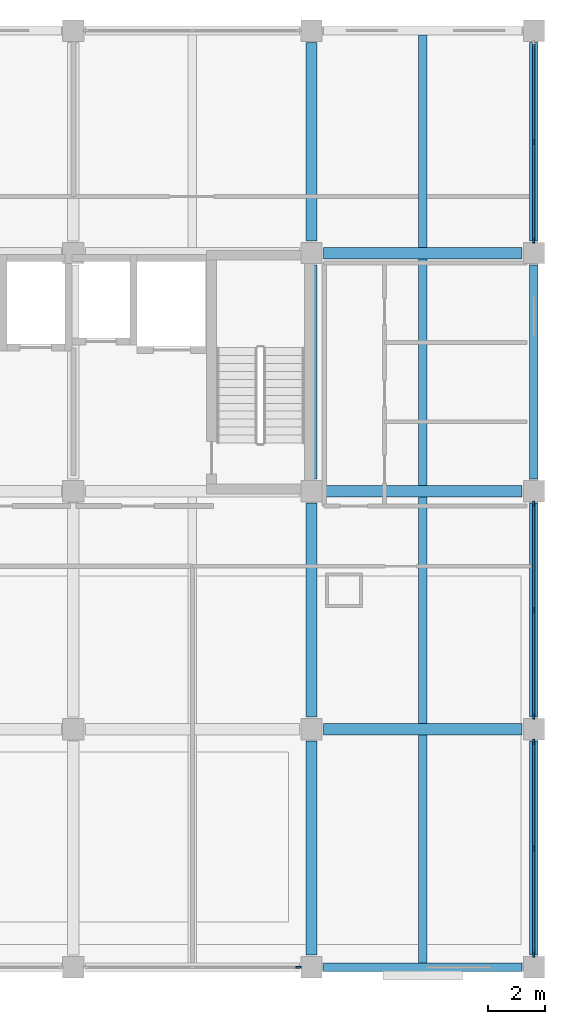
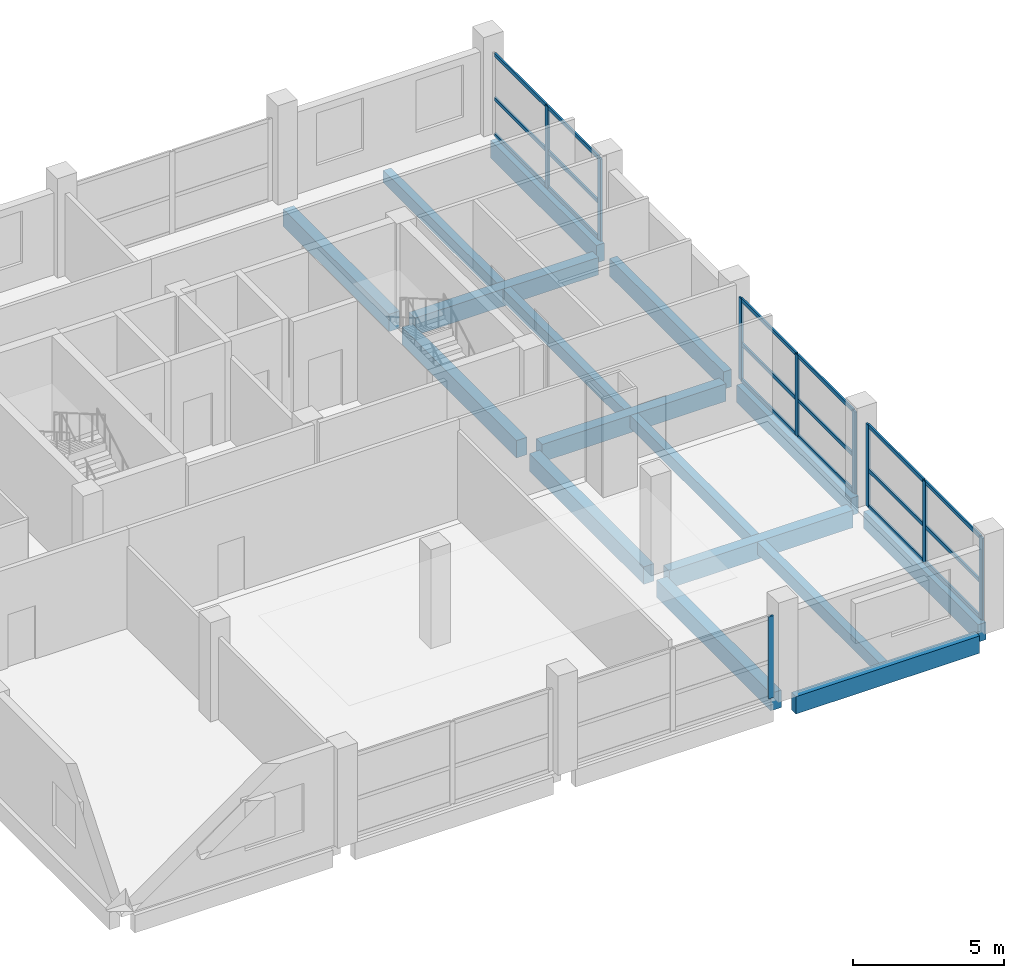
# One storey, part 4 of 9: 27 members, 16 beams, 4 elements without a shape of their own.
"""IFC4 building model written with IfcOpenShell, lengths in metres."""

from ifc_helpers import new_model, si_unit, direction, frame, origin, origin_2d, place, context, subcontext, project, spatial, rectangle, extrude, material, material_profile, profile_set, type_object, element, aggregate, save


model = new_model("IFC4")

# Units and contexts
model_context = context("Model", 3, precision=1e-05, world=origin(), true_north=direction((0.0, 1.0)))
body_context = subcontext(model_context, "Body", "Model", "MODEL_VIEW")
ifc_project = project(units=[si_unit("LENGTHUNIT", "METRE"), si_unit("AREAUNIT", "SQUARE_METRE"), si_unit("VOLUMEUNIT", "CUBIC_METRE"), si_unit("PLANEANGLEUNIT", "RADIAN"), si_unit("MASSUNIT", "GRAM", prefix="KILO")], contexts=[model_context])

# Site, building, storey
site_placement = place(None, origin())
site = spatial("IfcSite", under=ifc_project, at=site_placement, CompositionType="ELEMENT")
building_placement = place(site_placement, origin())
building = spatial("IfcBuilding", under=site, at=building_placement, Name="Brinegate Botanical Conservatory", CompositionType="ELEMENT")
storey_placement = place(building_placement, frame((0.0, 0.0, 40.199951171875)))
storey = spatial("IfcBuildingStorey", under=building, at=storey_placement, Name="L10", CompositionType="ELEMENT", Elevation=40.199951171875)

# Beams
ifc_material_1 = material(Name="Concrete C40/50", Category="concrete")
ifc_material_profile_1 = material_profile(ifc_material_1, rectangle(XDim=0.39990234375, YDim=0.699951171875, at=origin_2d()), Name="RC BM 400x700")
ifc_profile_set_1 = profile_set([ifc_material_profile_1], Name="Concrete C40/50")
beam_type_1 = type_object("IfcBeamType", Name="Beam_BM-T2", PredefinedType="BEAM", material=ifc_profile_set_1)
for number, where, z_axis, x_axis, name in (
    (1, (156.02490234375, 86.800048828125, -0.530029296875), (1.0, 0.0, 0.0), (0.0, 1.0, 0.0), "Beam BM-T2 L10 L:20-21"),
    (2, (156.02490234375, 95.199951171875, -0.530029296875), (1.0, 0.0, 0.0), (0.0, 1.0, 0.0), "Beam BM-T2 L10 M:20-21"),
    (3, (156.02490234375, 103.60009765625, -0.530029296875), (1.0, 0.0, 0.0), (0.0, 1.0, 0.0), "Beam BM-T2 L10 N:20-21"),
):
    element("IfcBeam", number, at=place(storey_placement, frame(where, z_axis=z_axis, x_axis=x_axis)), inside=storey, type_object=beam_type_1, Name=name, PredefinedType="BEAM", context=body_context, shape_type="SweptSolid", body=[
        extrude(rectangle(XDim=0.39990234375, YDim=0.699951171875, at=origin_2d()), origin(), (0.0, 0.0, 1.0), 7.0),
    ])
beam_1_placement = place(storey_placement, frame((155.60009765625, 78.824951171875, -0.530029296875), z_axis=(0.0, 1.0, 0.0), x_axis=(-1.0, 0.0, 0.0)))
element("IfcBeam", 4, at=beam_1_placement, inside=storey, type_object=beam_type_1, Name="Beam BM-T2 L10 20:K-L", PredefinedType="BEAM", context=body_context, shape_type="SweptSolid", body=[
    extrude(rectangle(XDim=0.39990234375, YDim=0.699951171875, at=origin_2d()), origin(), (0.0, 0.0, 1.0), 7.550048828125),
])
beam_2_placement = place(storey_placement, frame((155.60009765625, 87.22509765625, -0.530029296875), z_axis=(0.0, 1.0, 0.0), x_axis=(-1.0, 0.0, 0.0)))
element("IfcBeam", 5, at=beam_2_placement, inside=storey, type_object=beam_type_1, Name="Beam BM-T2 L10 20:L-M", PredefinedType="BEAM", context=body_context, shape_type="SweptSolid", body=[
    extrude(rectangle(XDim=0.39990234375, YDim=0.699951171875, at=origin_2d()), origin(), (0.0, 0.0, 1.0), 7.5498046875),
])
beam_3_placement = place(storey_placement, frame((155.60009765625, 95.625, -0.530029296875), z_axis=(0.0, 1.0, 0.0), x_axis=(-1.0, 0.0, 0.0)))
element("IfcBeam", 6, at=beam_3_placement, inside=storey, type_object=beam_type_1, Name="Beam BM-T2 L10 20:M-N", PredefinedType="BEAM", context=body_context, shape_type="SweptSolid", body=[
    extrude(rectangle(XDim=0.39990234375, YDim=0.699951171875, at=origin_2d()), origin(), (0.0, 0.0, 1.0), 7.550048828125),
])
beam_4_placement = place(storey_placement, frame((155.60009765625, 104.02490234375, -0.530029296875), z_axis=(0.0, 1.0, 0.0), x_axis=(-1.0, 0.0, 0.0)))
element("IfcBeam", 7, at=beam_4_placement, inside=storey, type_object=beam_type_1, Name="Beam BM-T2 L10 20:N-P", PredefinedType="BEAM", context=body_context, shape_type="SweptSolid", body=[
    extrude(rectangle(XDim=0.39990234375, YDim=0.699951171875, at=origin_2d()), origin(), (0.0, 0.0, 1.0), 7.0),
])
ifc_material_profile_2 = material_profile(ifc_material_1, rectangle(XDim=0.300048828125, YDim=0.5, at=origin_2d()), Name="RC JST 300x500")
ifc_profile_set_2 = profile_set([ifc_material_profile_2], Name="Concrete C40/50")
beam_type_2 = type_object("IfcBeamType", Name="Beam_JS-C2", PredefinedType="JOIST", material=ifc_profile_set_2)
beam_5_placement = place(storey_placement, frame((159.52490234375, 78.550048828125, -0.429931640625), z_axis=(0.0, 1.0, 0.0), x_axis=(-1.0, 0.0, 0.0)))
element("IfcBeam", 8, at=beam_5_placement, inside=storey, type_object=beam_type_2, Name="Floor joist JS-C2 L10 bay 20.10", PredefinedType="JOIST", context=body_context, shape_type="SweptSolid", body=[
    extrude(rectangle(XDim=0.300048828125, YDim=0.5, at=origin_2d()), origin(), (0.0, 0.0, 1.0), 8.050048828125),
])
for number, where, z_axis, x_axis, name in (
    (9, (159.52490234375, 87.0, -0.429931640625), (0.0, 1.0, 0.0), (-1.0, 0.0, 0.0), "Floor joist JS-C2 L10 bay 20.11"),
    (10, (159.52490234375, 95.39990234375, -0.429931640625), (0.0, 1.0, 0.0), (-1.0, 0.0, 0.0), "Floor joist JS-C2 L10 bay 20.12"),
):
    element("IfcBeam", number, at=place(storey_placement, frame(where, z_axis=z_axis, x_axis=x_axis)), inside=storey, type_object=beam_type_2, Name=name, PredefinedType="JOIST", context=body_context, shape_type="SweptSolid", body=[
        extrude(rectangle(XDim=0.300048828125, YDim=0.5, at=origin_2d()), origin(), (0.0, 0.0, 1.0), 8.0),
    ])
beam_6_placement = place(storey_placement, frame((159.52490234375, 103.800048828125, -0.429931640625), z_axis=(0.0, 1.0, 0.0), x_axis=(-1.0, 0.0, 0.0)))
element("IfcBeam", 11, at=beam_6_placement, inside=storey, type_object=beam_type_2, Name="Floor joist JS-C2 L10 bay 20.13", PredefinedType="JOIST", context=body_context, shape_type="SweptSolid", body=[
    extrude(rectangle(XDim=0.300048828125, YDim=0.5, at=origin_2d()), origin(), (0.0, 0.0, 1.0), 7.5),
])
ifc_material_profile_3 = material_profile(ifc_material_1, rectangle(XDim=0.300048828125, YDim=0.699951171875, at=origin_2d()), Name="RC SPN 300x700")
ifc_profile_set_3 = profile_set([ifc_material_profile_3], Name="Concrete C40/50")
beam_type_3 = type_object("IfcBeamType", Name="Beam_SP-02", PredefinedType="SPANDREL", material=ifc_profile_set_3)
beam_7_placement = place(storey_placement, frame((156.02490234375, 78.39990234375, -0.530029296875), z_axis=(1.0, 0.0, 0.0), x_axis=(0.0, 1.0, 0.0)))
element("IfcBeam", 12, at=beam_7_placement, inside=storey, type_object=beam_type_3, Name="Beam SP-02 L10 K:20-21", PredefinedType="SPANDREL", context=body_context, shape_type="SweptSolid", body=[
    extrude(rectangle(XDim=0.300048828125, YDim=0.699951171875, at=origin_2d()), origin(), (0.0, 0.0, 1.0), 7.0),
])
beam_8_placement = place(storey_placement, frame((163.449951171875, 78.824951171875, -0.530029296875), z_axis=(0.0, 1.0, 0.0), x_axis=(-1.0, 0.0, 0.0)))
element("IfcBeam", 13, at=beam_8_placement, inside=storey, type_object=beam_type_3, Name="Beam SP-02 L10 21:K-L", PredefinedType="SPANDREL", context=body_context, shape_type="SweptSolid", body=[
    extrude(rectangle(XDim=0.300048828125, YDim=0.699951171875, at=origin_2d()), origin(), (0.0, 0.0, 1.0), 7.550048828125),
])
beam_9_placement = place(storey_placement, frame((163.449951171875, 87.22509765625, -0.530029296875), z_axis=(0.0, 1.0, 0.0), x_axis=(-1.0, 0.0, 0.0)))
element("IfcBeam", 14, at=beam_9_placement, inside=storey, type_object=beam_type_3, Name="Beam SP-02 L10 21:L-M", PredefinedType="SPANDREL", context=body_context, shape_type="SweptSolid", body=[
    extrude(rectangle(XDim=0.300048828125, YDim=0.699951171875, at=origin_2d()), origin(), (0.0, 0.0, 1.0), 7.5498046875),
])
beam_10_placement = place(storey_placement, frame((163.449951171875, 95.625, -0.530029296875), z_axis=(0.0, 1.0, 0.0), x_axis=(-1.0, 0.0, 0.0)))
element("IfcBeam", 15, at=beam_10_placement, inside=storey, type_object=beam_type_3, Name="Beam SP-02 L10 21:M-N", PredefinedType="SPANDREL", context=body_context, shape_type="SweptSolid", body=[
    extrude(rectangle(XDim=0.300048828125, YDim=0.699951171875, at=origin_2d()), origin(), (0.0, 0.0, 1.0), 7.550048828125),
])
beam_11_placement = place(storey_placement, frame((163.449951171875, 104.02490234375, -0.530029296875), z_axis=(0.0, 1.0, 0.0), x_axis=(-1.0, 0.0, 0.0)))
element("IfcBeam", 16, at=beam_11_placement, inside=storey, type_object=beam_type_3, Name="Beam SP-02 L10 21:N-P", PredefinedType="SPANDREL", context=body_context, shape_type="SweptSolid", body=[
    extrude(rectangle(XDim=0.300048828125, YDim=0.699951171875, at=origin_2d()), origin(), (0.0, 0.0, 1.0), 7.0),
])

# Curtain wall, member
ifc_material_2 = material(Name="Thermally broken anodised aluminium AW-6063-T6", Category="aluminium")
curtain_wall_type = type_object("IfcCurtainWallType", Name="CW_CW-TW1", PredefinedType="USERDEFINED", material=ifc_material_2)
curtain_wall_1_placement = place(storey_placement, origin())
curtain_wall_1 = element("IfcCurtainWall", 17, at=curtain_wall_1_placement, inside=storey, type_object=curtain_wall_type, Name="Tower south curtain wall L10.3", ObjectType="FACTORY CURTAIN WALL", PredefinedType="USERDEFINED")
ifc_material_profile_4 = material_profile(ifc_material_2, rectangle(XDim=0.070068359375, YDim=0.199951171875, at=origin_2d()), Name="ALUM MULLION 70x200")
ifc_profile_set_4 = profile_set([ifc_material_profile_4], Name="Thermally broken anodised aluminium AW-6063-T6")
member_type_1 = type_object("IfcMemberType", Name="Member_ML-03", PredefinedType="MULLION", material=ifc_profile_set_4)
member_1_placement = place(storey_placement, frame((155.14990234375, 78.39990234375, 0.0), z_axis=(0.0, 0.0, 1.0), x_axis=(0.0, -1.0, 0.0)))
member_1 = element("IfcMember", 18, at=member_1_placement, type_object=member_type_1, Name="CW-TW1 mullion 1", PredefinedType="MULLION", context=body_context, shape_type="SweptSolid", body=[
    extrude(rectangle(XDim=0.070068359375, YDim=0.199951171875, at=origin_2d()), origin(), (0.0, 0.0, 1.0), 3.300048828125),
])
aggregate(curtain_wall_1, [member_1])

# Curtain wall, members
curtain_wall_2_placement = place(storey_placement, origin())
curtain_wall_2 = element("IfcCurtainWall", 19, at=curtain_wall_2_placement, inside=storey, type_object=curtain_wall_type, Name="Tower east curtain wall L10.1", ObjectType="FACTORY CURTAIN WALL", PredefinedType="USERDEFINED")
member_2_placement = place(storey_placement, frame((163.449951171875, 86.35009765625, 0.0), z_axis=(0.0, 0.0, 1.0), x_axis=(1.0, 0.0, 0.0)))
member_2 = element("IfcMember", 20, at=member_2_placement, type_object=member_type_1, Name="CW-TW1 mullion 1", PredefinedType="MULLION", context=body_context, shape_type="SweptSolid", body=[
    extrude(rectangle(XDim=0.070068359375, YDim=0.199951171875, at=origin_2d()), origin(), (0.0, 0.0, 1.0), 3.300048828125),
])
member_3_placement = place(storey_placement, frame((163.449951171875, 82.60009765625, 0.0), z_axis=(0.0, 0.0, 1.0), x_axis=(1.0, 0.0, 0.0)))
member_3 = element("IfcMember", 21, at=member_3_placement, type_object=member_type_1, Name="CW-TW1 mullion 2", PredefinedType="MULLION", context=body_context, shape_type="SweptSolid", body=[
    extrude(rectangle(XDim=0.070068359375, YDim=0.199951171875, at=origin_2d()), origin(), (0.0, 0.0, 1.0), 3.300048828125),
])
member_4_placement = place(storey_placement, frame((163.449951171875, 78.85009765625, 0.0), z_axis=(0.0, 0.0, 1.0), x_axis=(1.0, 0.0, 0.0)))
member_4 = element("IfcMember", 22, at=member_4_placement, type_object=member_type_1, Name="CW-TW1 mullion 3", PredefinedType="MULLION", context=body_context, shape_type="SweptSolid", body=[
    extrude(rectangle(XDim=0.070068359375, YDim=0.199951171875, at=origin_2d()), origin(), (0.0, 0.0, 1.0), 3.300048828125),
])

curtain_wall_3_placement = place(storey_placement, origin())
curtain_wall_3 = element("IfcCurtainWall", 23, at=curtain_wall_3_placement, inside=storey, type_object=curtain_wall_type, Name="Tower east curtain wall L10.2", ObjectType="FACTORY CURTAIN WALL", PredefinedType="USERDEFINED")
member_5_placement = place(storey_placement, frame((163.449951171875, 94.75, 0.0), z_axis=(0.0, 0.0, 1.0), x_axis=(1.0, 0.0, 0.0)))
member_5 = element("IfcMember", 24, at=member_5_placement, type_object=member_type_1, Name="CW-TW1 mullion 1", PredefinedType="MULLION", context=body_context, shape_type="SweptSolid", body=[
    extrude(rectangle(XDim=0.070068359375, YDim=0.199951171875, at=origin_2d()), origin(), (0.0, 0.0, 1.0), 3.300048828125),
])
member_6_placement = place(storey_placement, frame((163.449951171875, 91.0, 0.0), z_axis=(0.0, 0.0, 1.0), x_axis=(1.0, 0.0, 0.0)))
member_6 = element("IfcMember", 25, at=member_6_placement, type_object=member_type_1, Name="CW-TW1 mullion 2", PredefinedType="MULLION", context=body_context, shape_type="SweptSolid", body=[
    extrude(rectangle(XDim=0.070068359375, YDim=0.199951171875, at=origin_2d()), origin(), (0.0, 0.0, 1.0), 3.300048828125),
])
member_7_placement = place(storey_placement, frame((163.449951171875, 87.25, 0.0), z_axis=(0.0, 0.0, 1.0), x_axis=(1.0, 0.0, 0.0)))
member_7 = element("IfcMember", 26, at=member_7_placement, type_object=member_type_1, Name="CW-TW1 mullion 3", PredefinedType="MULLION", context=body_context, shape_type="SweptSolid", body=[
    extrude(rectangle(XDim=0.070068359375, YDim=0.199951171875, at=origin_2d()), origin(), (0.0, 0.0, 1.0), 3.300048828125),
])

curtain_wall_4_placement = place(storey_placement, origin())
curtain_wall_4 = element("IfcCurtainWall", 27, at=curtain_wall_4_placement, inside=storey, type_object=curtain_wall_type, Name="Tower east curtain wall L10.4", ObjectType="FACTORY CURTAIN WALL", PredefinedType="USERDEFINED")
member_8_placement = place(storey_placement, frame((163.449951171875, 107.52490234375, 0.0), z_axis=(0.0, 0.0, 1.0), x_axis=(1.0, 0.0, 0.0)))
member_8 = element("IfcMember", 28, at=member_8_placement, type_object=member_type_1, Name="CW-TW1 mullion 2", PredefinedType="MULLION", context=body_context, shape_type="SweptSolid", body=[
    extrude(rectangle(XDim=0.070068359375, YDim=0.199951171875, at=origin_2d()), origin(), (0.0, 0.0, 1.0), 3.300048828125),
])
member_9_placement = place(storey_placement, frame((163.449951171875, 104.050048828125, 0.0), z_axis=(0.0, 0.0, 1.0), x_axis=(1.0, 0.0, 0.0)))
member_9 = element("IfcMember", 29, at=member_9_placement, type_object=member_type_1, Name="CW-TW1 mullion 3", PredefinedType="MULLION", context=body_context, shape_type="SweptSolid", body=[
    extrude(rectangle(XDim=0.070068359375, YDim=0.199951171875, at=origin_2d()), origin(), (0.0, 0.0, 1.0), 3.300048828125),
])

# Member
ifc_material_profile_5 = material_profile(ifc_material_2, rectangle(XDim=0.070068359375, YDim=0.14990234375, at=origin_2d()), Name="ALUM TRANSOM 70x150")
ifc_profile_set_5 = profile_set([ifc_material_profile_5], Name="Thermally broken anodised aluminium AW-6063-T6")
member_type_2 = type_object("IfcMemberType", Name="Member_TR-03", PredefinedType="USERDEFINED", material=ifc_profile_set_5)
member_10_placement = place(storey_placement, frame((163.449951171875, 86.31494140625, 0.03515625), z_axis=(0.0, -1.0, 0.0), x_axis=(1.0, 0.0, 0.0)))
member_10 = element("IfcMember", 30, at=member_10_placement, type_object=member_type_2, Name="CW-TW1 transom 1.1", ObjectType="TRANSOM", PredefinedType="USERDEFINED", context=body_context, shape_type="SweptSolid", body=[
    extrude(rectangle(XDim=0.070068359375, YDim=0.14990234375, at=origin_2d()), origin(), (0.0, 0.0, 1.0), 3.679931640625),
])

member_11_placement = place(storey_placement, frame((163.449951171875, 86.31494140625, 1.485107421875), z_axis=(0.0, -1.0, 0.0), x_axis=(1.0, 0.0, 0.0)))
member_11 = element("IfcMember", 31, at=member_11_placement, type_object=member_type_2, Name="CW-TW1 transom 1.2", ObjectType="TRANSOM", PredefinedType="USERDEFINED", context=body_context, shape_type="SweptSolid", body=[
    extrude(rectangle(XDim=0.070068359375, YDim=0.14990234375, at=origin_2d()), origin(), (0.0, 0.0, 1.0), 3.679931640625),
])

member_12_placement = place(storey_placement, frame((163.449951171875, 86.31494140625, 3.26513671875), z_axis=(0.0, -1.0, 0.0), x_axis=(1.0, 0.0, 0.0)))
member_12 = element("IfcMember", 32, at=member_12_placement, type_object=member_type_2, Name="CW-TW1 transom 1.3", ObjectType="TRANSOM", PredefinedType="USERDEFINED", context=body_context, shape_type="SweptSolid", body=[
    extrude(rectangle(XDim=0.070068359375, YDim=0.14990234375, at=origin_2d()), origin(), (0.0, 0.0, 1.0), 3.679931640625),
])

member_13_placement = place(storey_placement, frame((163.449951171875, 82.56494140625, 0.03515625), z_axis=(0.0, -1.0, 0.0), x_axis=(1.0, 0.0, 0.0)))
member_13 = element("IfcMember", 33, at=member_13_placement, type_object=member_type_2, Name="CW-TW1 transom 2.1", ObjectType="TRANSOM", PredefinedType="USERDEFINED", context=body_context, shape_type="SweptSolid", body=[
    extrude(rectangle(XDim=0.070068359375, YDim=0.14990234375, at=origin_2d()), origin(), (0.0, 0.0, 1.0), 3.679931640625),
])

member_14_placement = place(storey_placement, frame((163.449951171875, 82.56494140625, 1.485107421875), z_axis=(0.0, -1.0, 0.0), x_axis=(1.0, 0.0, 0.0)))
member_14 = element("IfcMember", 34, at=member_14_placement, type_object=member_type_2, Name="CW-TW1 transom 2.2", ObjectType="TRANSOM", PredefinedType="USERDEFINED", context=body_context, shape_type="SweptSolid", body=[
    extrude(rectangle(XDim=0.070068359375, YDim=0.14990234375, at=origin_2d()), origin(), (0.0, 0.0, 1.0), 3.679931640625),
])

member_15_placement = place(storey_placement, frame((163.449951171875, 82.56494140625, 3.26513671875), z_axis=(0.0, -1.0, 0.0), x_axis=(1.0, 0.0, 0.0)))
member_15 = element("IfcMember", 35, at=member_15_placement, type_object=member_type_2, Name="CW-TW1 transom 2.3", ObjectType="TRANSOM", PredefinedType="USERDEFINED", context=body_context, shape_type="SweptSolid", body=[
    extrude(rectangle(XDim=0.070068359375, YDim=0.14990234375, at=origin_2d()), origin(), (0.0, 0.0, 1.0), 3.679931640625),
])

aggregate(curtain_wall_2, [member_2, member_3, member_4, member_10, member_11, member_12, member_13, member_14, member_15])

member_16_placement = place(storey_placement, frame((163.449951171875, 94.715087890625, 0.03515625), z_axis=(0.0, -1.0, 0.0), x_axis=(1.0, 0.0, 0.0)))
member_16 = element("IfcMember", 36, at=member_16_placement, type_object=member_type_2, Name="CW-TW1 transom 1.1", ObjectType="TRANSOM", PredefinedType="USERDEFINED", context=body_context, shape_type="SweptSolid", body=[
    extrude(rectangle(XDim=0.070068359375, YDim=0.14990234375, at=origin_2d()), origin(), (0.0, 0.0, 1.0), 3.68017578125),
])

member_17_placement = place(storey_placement, frame((163.449951171875, 94.715087890625, 1.485107421875), z_axis=(0.0, -1.0, 0.0), x_axis=(1.0, 0.0, 0.0)))
member_17 = element("IfcMember", 37, at=member_17_placement, type_object=member_type_2, Name="CW-TW1 transom 1.2", ObjectType="TRANSOM", PredefinedType="USERDEFINED", context=body_context, shape_type="SweptSolid", body=[
    extrude(rectangle(XDim=0.070068359375, YDim=0.14990234375, at=origin_2d()), origin(), (0.0, 0.0, 1.0), 3.68017578125),
])

member_18_placement = place(storey_placement, frame((163.449951171875, 94.715087890625, 3.26513671875), z_axis=(0.0, -1.0, 0.0), x_axis=(1.0, 0.0, 0.0)))
member_18 = element("IfcMember", 38, at=member_18_placement, type_object=member_type_2, Name="CW-TW1 transom 1.3", ObjectType="TRANSOM", PredefinedType="USERDEFINED", context=body_context, shape_type="SweptSolid", body=[
    extrude(rectangle(XDim=0.070068359375, YDim=0.14990234375, at=origin_2d()), origin(), (0.0, 0.0, 1.0), 3.68017578125),
])

member_19_placement = place(storey_placement, frame((163.449951171875, 90.965087890625, 0.03515625), z_axis=(0.0, -1.0, 0.0), x_axis=(1.0, 0.0, 0.0)))
member_19 = element("IfcMember", 39, at=member_19_placement, type_object=member_type_2, Name="CW-TW1 transom 2.1", ObjectType="TRANSOM", PredefinedType="USERDEFINED", context=body_context, shape_type="SweptSolid", body=[
    extrude(rectangle(XDim=0.070068359375, YDim=0.14990234375, at=origin_2d()), origin(), (0.0, 0.0, 1.0), 3.68017578125),
])

member_20_placement = place(storey_placement, frame((163.449951171875, 90.965087890625, 1.485107421875), z_axis=(0.0, -1.0, 0.0), x_axis=(1.0, 0.0, 0.0)))
member_20 = element("IfcMember", 40, at=member_20_placement, type_object=member_type_2, Name="CW-TW1 transom 2.2", ObjectType="TRANSOM", PredefinedType="USERDEFINED", context=body_context, shape_type="SweptSolid", body=[
    extrude(rectangle(XDim=0.070068359375, YDim=0.14990234375, at=origin_2d()), origin(), (0.0, 0.0, 1.0), 3.68017578125),
])

member_21_placement = place(storey_placement, frame((163.449951171875, 90.965087890625, 3.26513671875), z_axis=(0.0, -1.0, 0.0), x_axis=(1.0, 0.0, 0.0)))
member_21 = element("IfcMember", 41, at=member_21_placement, type_object=member_type_2, Name="CW-TW1 transom 2.3", ObjectType="TRANSOM", PredefinedType="USERDEFINED", context=body_context, shape_type="SweptSolid", body=[
    extrude(rectangle(XDim=0.070068359375, YDim=0.14990234375, at=origin_2d()), origin(), (0.0, 0.0, 1.0), 3.68017578125),
])

aggregate(curtain_wall_3, [member_5, member_6, member_7, member_16, member_17, member_18, member_19, member_20, member_21])

member_22_placement = place(storey_placement, frame((163.449951171875, 110.965087890625, 0.03515625), z_axis=(0.0, -1.0, 0.0), x_axis=(1.0, 0.0, 0.0)))
member_22 = element("IfcMember", 42, at=member_22_placement, type_object=member_type_2, Name="CW-TW1 transom 1.1", ObjectType="TRANSOM", PredefinedType="USERDEFINED", context=body_context, shape_type="SweptSolid", body=[
    extrude(rectangle(XDim=0.070068359375, YDim=0.14990234375, at=origin_2d()), origin(), (0.0, 0.0, 1.0), 3.405029296875),
])

member_23_placement = place(storey_placement, frame((163.449951171875, 110.965087890625, 1.485107421875), z_axis=(0.0, -1.0, 0.0), x_axis=(1.0, 0.0, 0.0)))
member_23 = element("IfcMember", 43, at=member_23_placement, type_object=member_type_2, Name="CW-TW1 transom 1.2", ObjectType="TRANSOM", PredefinedType="USERDEFINED", context=body_context, shape_type="SweptSolid", body=[
    extrude(rectangle(XDim=0.070068359375, YDim=0.14990234375, at=origin_2d()), origin(), (0.0, 0.0, 1.0), 3.405029296875),
])

member_24_placement = place(storey_placement, frame((163.449951171875, 110.965087890625, 3.26513671875), z_axis=(0.0, -1.0, 0.0), x_axis=(1.0, 0.0, 0.0)))
member_24 = element("IfcMember", 44, at=member_24_placement, type_object=member_type_2, Name="CW-TW1 transom 1.3", ObjectType="TRANSOM", PredefinedType="USERDEFINED", context=body_context, shape_type="SweptSolid", body=[
    extrude(rectangle(XDim=0.070068359375, YDim=0.14990234375, at=origin_2d()), origin(), (0.0, 0.0, 1.0), 3.405029296875),
])

member_25_placement = place(storey_placement, frame((163.449951171875, 107.489990234375, 0.03515625), z_axis=(0.0, -1.0, 0.0), x_axis=(1.0, 0.0, 0.0)))
member_25 = element("IfcMember", 45, at=member_25_placement, type_object=member_type_2, Name="CW-TW1 transom 2.1", ObjectType="TRANSOM", PredefinedType="USERDEFINED", context=body_context, shape_type="SweptSolid", body=[
    extrude(rectangle(XDim=0.070068359375, YDim=0.14990234375, at=origin_2d()), origin(), (0.0, 0.0, 1.0), 3.405029296875),
])

member_26_placement = place(storey_placement, frame((163.449951171875, 107.489990234375, 1.485107421875), z_axis=(0.0, -1.0, 0.0), x_axis=(1.0, 0.0, 0.0)))
member_26 = element("IfcMember", 46, at=member_26_placement, type_object=member_type_2, Name="CW-TW1 transom 2.2", ObjectType="TRANSOM", PredefinedType="USERDEFINED", context=body_context, shape_type="SweptSolid", body=[
    extrude(rectangle(XDim=0.070068359375, YDim=0.14990234375, at=origin_2d()), origin(), (0.0, 0.0, 1.0), 3.405029296875),
])

member_27_placement = place(storey_placement, frame((163.449951171875, 107.489990234375, 3.26513671875), z_axis=(0.0, -1.0, 0.0), x_axis=(1.0, 0.0, 0.0)))
member_27 = element("IfcMember", 47, at=member_27_placement, type_object=member_type_2, Name="CW-TW1 transom 2.3", ObjectType="TRANSOM", PredefinedType="USERDEFINED", context=body_context, shape_type="SweptSolid", body=[
    extrude(rectangle(XDim=0.070068359375, YDim=0.14990234375, at=origin_2d()), origin(), (0.0, 0.0, 1.0), 3.405029296875),
])

aggregate(curtain_wall_4, [member_8, member_9, member_22, member_23, member_24, member_25, member_26, member_27])

save(model, "model.ifc")
